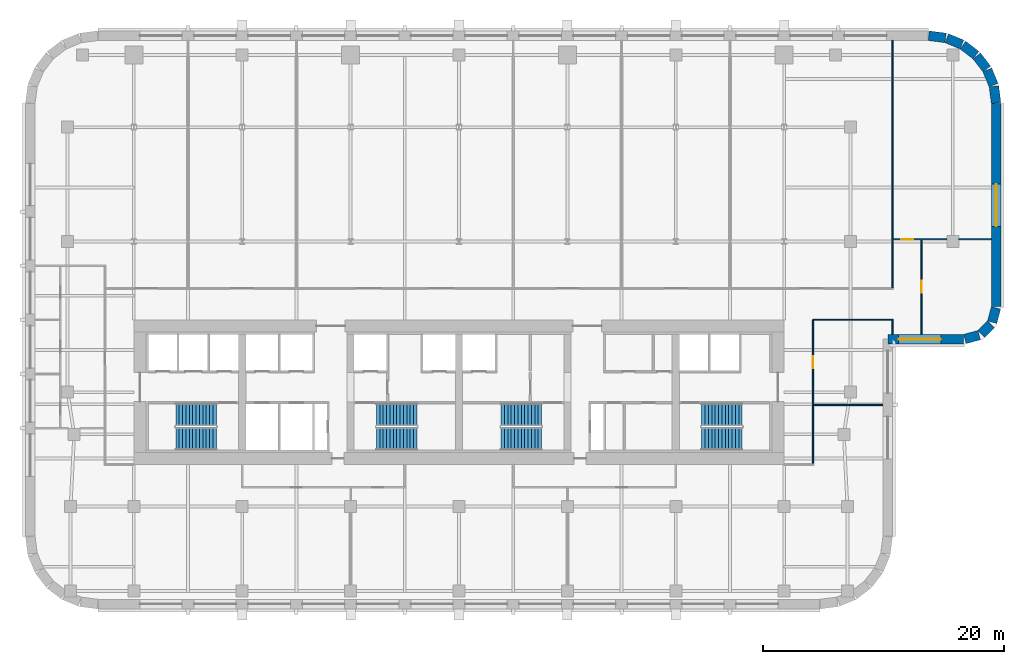
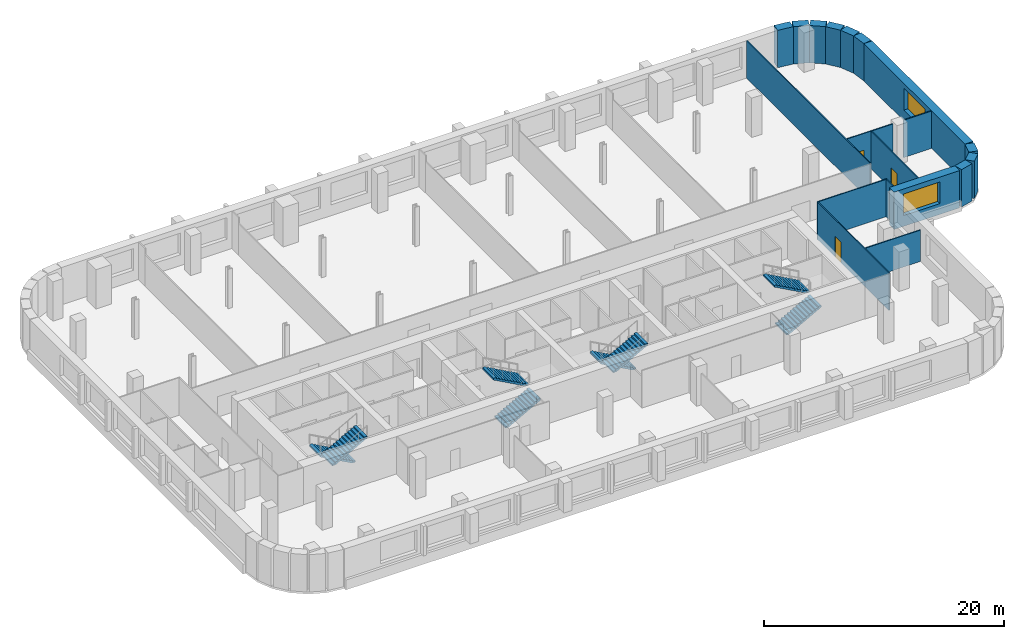
# One storey, part 7 of 9: 19 walls, 8 stair flights, 3 doors, 2 windows, 5 openings, 4 elements without a shape of their own.
"""IFC4 building model written with IfcOpenShell, lengths in metres."""

import ifcopenshell
import ifcopenshell.guid

model = None  # the IFC model being written
_history = None  # IfcOwnerHistory: only IFC2X3 demands one
_inside = {}  # id of a spatial element -> (the spatial element, [elements in it])
_under = {}  # id of a project, library or spatial element -> (it, [spatial elements below it])
_declared = {}  # id of a project -> (the project, [libraries it declares])
_typed = {}  # id of a type object -> (the type object, [elements of that type])
_made_of = {}  # id of a material, layer set ... -> (it, [elements and type objects made of it])


def new_model(schema):
    """Start an empty IFC model of exactly this schema.

    Asked for "IFC4X3", IfcOpenShell would pick the latest addendum, in which some entities
    have other attributes; the version numbers below select the first issue.
    IFC2X3 requires an IfcOwnerHistory on every rooted entity: one is made here for all.
    """
    global model, _history
    if schema == "IFC4X3":
        model = ifcopenshell.file(schema_version=(4, 3, 0, 0))
    else:
        model = ifcopenshell.file(schema=schema)
    _inside.clear()
    _under.clear()
    _declared.clear()
    _typed.clear()
    _made_of.clear()
    _history = None
    if model.schema == "IFC2X3":
        org = make("IfcOrganization", Name="unknown")
        user = make(
            "IfcPersonAndOrganization",
            ThePerson=make("IfcPerson", FamilyName="unknown"),
            TheOrganization=org,
        )
        app = make(
            "IfcApplication",
            ApplicationDeveloper=org,
            Version="unknown",
            ApplicationFullName="unknown",
            ApplicationIdentifier="unknown",
        )
        _history = make(
            "IfcOwnerHistory",
            OwningUser=user,
            OwningApplication=app,
            ChangeAction="ADDED",
            CreationDate=0,
        )
    return model


def make(cls, **values):
    """One entity of the class cls with the attributes given. An attribute that is None is left unset."""
    return model.create_entity(
        cls, **{name: value for name, value in values.items() if value is not None}
    )


def rooted(cls, **values):
    """An entity with a GlobalId (a new one), such as an element, a storey or a relation."""
    return make(cls, GlobalId=ifcopenshell.guid.new(), OwnerHistory=_history, **values)


def si_unit(unit_type, name, prefix=None):
    """IfcSIUnit, for example si_unit("LENGTHUNIT", "METRE", prefix="MILLI")."""
    return make("IfcSIUnit", UnitType=unit_type, Prefix=prefix, Name=name)


def assignment(units):
    """IfcUnitAssignment: the units of a project."""
    return None if units is None else make("IfcUnitAssignment", Units=units)


def point(xyz):
    """IfcCartesianPoint."""
    return None if xyz is None else make("IfcCartesianPoint", Coordinates=xyz)


def direction(xyz):
    """IfcDirection."""
    return None if xyz is None else make("IfcDirection", DirectionRatios=xyz)


def frame(location, z_axis=None, x_axis=None):
    """IfcAxis2Placement3D, a coordinate frame: its origin and axes. An axis left out is left unset."""
    return make(
        "IfcAxis2Placement3D",
        Location=point(location),
        Axis=direction(z_axis),
        RefDirection=direction(x_axis),
    )


def frame_2d(location, x_axis=None):
    """IfcAxis2Placement2D, a coordinate frame in the plane: its origin and x axis."""
    return make(
        "IfcAxis2Placement2D", Location=point(location), RefDirection=direction(x_axis)
    )


def origin():
    """The frame at (0, 0, 0) with its axes left unset."""
    return frame((0.0, 0.0, 0.0))


def place(relative_to, where):
    """IfcLocalPlacement: puts the frame where relative to a parent placement (None: the world)."""
    return make(
        "IfcLocalPlacement", PlacementRelTo=relative_to, RelativePlacement=where
    )


def context(
    kind, dimensions, precision=None, world=None, true_north=None, identifier=None
):
    """IfcGeometricRepresentationContext, for example the 3D "Model" context."""
    return make(
        "IfcGeometricRepresentationContext",
        ContextIdentifier=identifier,
        ContextType=kind,
        CoordinateSpaceDimension=dimensions,
        Precision=precision,
        WorldCoordinateSystem=world,
        TrueNorth=true_north,
    )


def subcontext(parent, identifier, kind, view, scale=None):
    """IfcGeometricRepresentationSubContext, for example "Body" below "Model"."""
    return make(
        "IfcGeometricRepresentationSubContext",
        ContextIdentifier=identifier,
        ContextType=kind,
        ParentContext=parent,
        TargetScale=scale,
        TargetView=view,
    )


def project(units=None, contexts=None):
    """IfcProject with its units and contexts."""
    return rooted(
        "IfcProject",
        Name="project",
        RepresentationContexts=contexts,
        UnitsInContext=assignment(units),
    )


def spatial(cls, under=None, at=None, **own):
    """A site, building, storey or space (cls), placed at a placement, below another one or the project."""
    s = rooted(cls, ObjectPlacement=at, **own)
    if under is not None:
        _under.setdefault(under.id(), (under, []))[1].append(s)
    return s


def polyline(points):
    """IfcPolyline through the points."""
    return make("IfcPolyline", Points=[point(p) for p in points])


def profile(cls, at=None, kind="AREA", **sizes):
    """A parametric profile (cls). Its sizes go by their IFC names, for example OverallWidth=200.0."""
    return make(cls, ProfileType=kind, Position=at, **sizes)


def rectangle(**sizes):
    """IfcRectangleProfileDef."""
    return profile("IfcRectangleProfileDef", **sizes)


def outline(outer, holes=None, kind="AREA"):
    """IfcArbitraryClosedProfileDef: a profile drawn as a closed curve; with holes, ...WithVoids."""
    if holes is None:
        return make("IfcArbitraryClosedProfileDef", ProfileType=kind, OuterCurve=outer)
    return make(
        "IfcArbitraryProfileDefWithVoids",
        ProfileType=kind,
        OuterCurve=outer,
        InnerCurves=holes,
    )


def extrude(swept, where, along, depth):
    """IfcExtrudedAreaSolid: the profile swept, set in the frame where, extruded along a direction by depth."""
    return make(
        "IfcExtrudedAreaSolid",
        SweptArea=swept,
        Position=where,
        ExtrudedDirection=direction(along),
        Depth=depth,
    )


def shape(context_of_items, identifier, shape_type, items):
    """IfcShapeRepresentation: the items that make up one representation, for example the "Body"."""
    return make(
        "IfcShapeRepresentation",
        ContextOfItems=context_of_items,
        RepresentationIdentifier=identifier,
        RepresentationType=shape_type,
        Items=items,
    )


def material(Name=None, Category=None):
    """IfcMaterial."""
    return make("IfcMaterial", Name=Name, Category=Category)


def layer(
    of_material, thickness, ventilated=None, Name=None, Category=None, Priority=None
):
    """IfcMaterialLayer: one layer of a wall or slab, of a material (None: an air gap)."""
    return make(
        "IfcMaterialLayer",
        Material=of_material,
        LayerThickness=thickness,
        IsVentilated=ventilated,
        Name=Name,
        Category=Category,
        Priority=Priority,
    )


def layer_set(layers, Name=None):
    """IfcMaterialLayerSet."""
    return make("IfcMaterialLayerSet", MaterialLayers=layers, LayerSetName=Name)


def made_of(thing, what):
    """Note that an element or type object is made of a material, layer set ...; save() writes the relation."""
    if what is not None:
        _made_of.setdefault(what.id(), (what, []))[1].append(thing)
    return thing


def type_object(cls, material=None, **own):
    """A type object (cls), such as IfcWallType, which elements share."""
    return made_of(rooted(cls, **own), material)


def element(
    cls,
    number,
    at=None,
    inside=None,
    cuts=None,
    type_object=None,
    material=None,
    context=None,
    identifier="Body",
    shape_type=None,
    held_by="IfcProductDefinitionShape",
    body=None,
    shapes=None,
    **own,
):
    """One element of the class cls, such as IfcWall. Its Tag is "e" and its number.

    at: its placement. inside: the storey or other place that contains it. cuts: it is an
    opening in that element (IfcRelVoidsElement). A single representation is given by context,
    identifier, shape_type and body (its items); several are given by shapes. held_by: the class
    of the entity that holds the representations. save() writes the other relations.
    """
    e = rooted(cls, Tag="e%d" % number, ObjectPlacement=at, **own)
    if body is not None:
        shapes = [shape(context, identifier, shape_type, body)]
    if shapes is not None:
        e.Representation = make(held_by, Representations=shapes)
    if inside is not None:
        _inside.setdefault(inside.id(), (inside, []))[1].append(e)
    if cuts is not None:
        rooted(
            "IfcRelVoidsElement", RelatingBuildingElement=cuts, RelatedOpeningElement=e
        )
    if type_object is not None:
        _typed.setdefault(type_object.id(), (type_object, []))[1].append(e)
    return made_of(e, material)


def fill(opening, filler):
    """IfcRelFillsElement: the door or window that sits in an opening."""
    return rooted(
        "IfcRelFillsElement",
        RelatingOpeningElement=opening,
        RelatedBuildingElement=filler,
    )


def aggregate(whole, parts):
    """IfcRelAggregates: a whole, such as a stair, and the parts it consists of."""
    return rooted("IfcRelAggregates", RelatingObject=whole, RelatedObjects=parts)


def save(model, path):
    """Write the relations noted so far, then the file.

    IfcRelAggregates (storeys below a building ...), IfcRelContainedInSpatialStructure (elements
    in a storey), IfcRelDefinesByType, IfcRelAssociatesMaterial and IfcRelDeclares: one each for
    every whole, place, type object, material and project.
    """
    for whole, parts in _under.values():
        aggregate(whole, parts)
    for where, things in _inside.values():
        rooted(
            "IfcRelContainedInSpatialStructure",
            RelatedElements=things,
            RelatingStructure=where,
        )
    for kind, things in _typed.values():
        rooted("IfcRelDefinesByType", RelatedObjects=things, RelatingType=kind)
    for what, things in _made_of.values():
        rooted("IfcRelAssociatesMaterial", RelatedObjects=things, RelatingMaterial=what)
    for by, libraries in _declared.values():
        rooted("IfcRelDeclares", RelatingContext=by, RelatedDefinitions=libraries)
    model.write(path)


model = new_model("IFC4")

# Units and contexts
model_context = context("Model", 3, precision=1e-05, world=origin(), true_north=direction((0.0, 1.0)))
body_context = subcontext(model_context, "Body", "Model", "MODEL_VIEW")
ifc_project = project(units=[si_unit("LENGTHUNIT", "METRE"), si_unit("AREAUNIT", "SQUARE_METRE"), si_unit("VOLUMEUNIT", "CUBIC_METRE"), si_unit("PLANEANGLEUNIT", "RADIAN"), si_unit("MASSUNIT", "GRAM", prefix="KILO")], contexts=[model_context])

# Site, building, storey
site_placement = place(None, origin())
site = spatial("IfcSite", under=ifc_project, at=site_placement, CompositionType="ELEMENT")
building_placement = place(site_placement, origin())
building = spatial("IfcBuilding", under=site, at=building_placement, Name="Zellij Exchange Tower", CompositionType="ELEMENT")
storey_placement = place(building_placement, frame((0.0, 0.0, 140.5)))
storey = spatial("IfcBuildingStorey", under=building, at=storey_placement, Name="L31", CompositionType="ELEMENT", Elevation=140.5)

# Wall, opening, window
ifc_material_1 = material(Name="Precast concrete C40/50", Category="concrete")
ifc_layer_1 = layer(ifc_material_1, 0.800048828125)
ifc_layer_set_1 = layer_set([ifc_layer_1], Name="Precast concrete C40/50")
wall_type_1 = type_object("IfcWallType", Name="ENV-EW1 Precast stone-piered wall 800", PredefinedType="SOLIDWALL", material=ifc_layer_set_1)
wall_1_placement = place(storey_placement, frame((35.60009765625, -3.60009765625, 0.0), z_axis=(0.0, 0.0, 1.0), x_axis=(1.0, 0.0, 0.0)))
wall_1 = element("IfcWall", 1, at=wall_1_placement, inside=storey, type_object=wall_type_1, Name="fac.L31.08", PredefinedType="SOLIDWALL", context=body_context, shape_type="SweptSolid", body=[
    extrude(rectangle(XDim=6.29443359375, YDim=0.800048828125, at=frame_2d((3.147216796875, 0.0))), origin(), (0.0, 0.0, 1.0), 3.800048828125),
])
opening_1_placement = place(wall_1_placement, frame((0.89990234375, 0.0, 1.10009765625)))
opening_1 = element("IfcOpeningElement", 2, at=opening_1_placement, cuts=wall_1, Name="Opening FZ2.15", PredefinedType="OPENING", context=body_context, shape_type="SweptSolid", body=[
    extrude(rectangle(XDim=3.5, YDim=2.199951171875, at=frame_2d((1.75, 1.10009765625))), frame((0.0, 0.412109375, 0.0), z_axis=(0.0, -1.0, 0.0), x_axis=(1.0, 0.0, 0.0)), (0.0, 0.0, 1.0), 0.823974609375),
])
ifc_material_2 = material(Name="Aluminium frame with insulating glass", Category="aluminium")
window_type = type_object("IfcWindowType", Name="ENV-W7 Window 3500x2200", PartitioningType="SINGLE_PANEL", PredefinedType="WINDOW", material=ifc_material_2)
window_1_placement = place(opening_1_placement, origin())
window_1 = element("IfcWindow", 3, at=window_1_placement, inside=storey, type_object=window_type, Name="Window FZ2.15", OverallHeight=2.199951171875, OverallWidth=3.5, PartitioningType="SINGLE_PANEL", PredefinedType="WINDOW", context=body_context, shape_type="SweptSolid", body=[
    extrude(rectangle(XDim=3.5, YDim=2.199951171875, at=frame_2d((1.75, 1.10009765625))), frame((0.0, 0.030029296875, 0.0), z_axis=(0.0, -1.0, 0.0), x_axis=(1.0, 0.0, 0.0)), (0.0, 0.0, 1.0), 0.06005859375),
])
fill(opening_1, window_1)

# Walls
wall_2_placement = place(storey_placement, frame((41.998291015625, -3.58642578125, 0.0), z_axis=(0.0, 0.0, 1.0), x_axis=(0.965892366842, 0.258943885187, 0.0)))
element("IfcWall", 4, at=wall_2_placement, inside=storey, type_object=wall_type_1, Name="fac.L31.09", PredefinedType="SOLIDWALL", context=body_context, shape_type="SweptSolid", body=[
    extrude(rectangle(XDim=1.233154296875, YDim=0.800048828125, at=frame_2d((0.61669921875, 0.0))), origin(), (0.0, 0.0, 1.0), 3.800048828125),
])
wall_3_placement = place(storey_placement, frame((43.36865234375, -3.163818359375, 0.0), z_axis=(0.0, 0.0, 1.0), x_axis=(0.707106781187, 0.707106781187, 0.0)))
element("IfcWall", 5, at=wall_3_placement, inside=storey, type_object=wall_type_1, Name="fac.L31.10", PredefinedType="SOLIDWALL", context=body_context, shape_type="SweptSolid", body=[
    extrude(rectangle(XDim=1.12451171875, YDim=0.800048828125, at=frame_2d((0.562255859375, 0.0))), origin(), (0.0, 0.0, 1.0), 3.800048828125),
])
wall_4_placement = place(storey_placement, frame((44.26708984375, -2.189453125, 0.0), z_axis=(0.0, 0.0, 1.0), x_axis=(0.258943885187, 0.965892366842, 0.0)))
element("IfcWall", 6, at=wall_4_placement, inside=storey, type_object=wall_type_1, Name="fac.L31.11", PredefinedType="SOLIDWALL", context=body_context, shape_type="SweptSolid", body=[
    extrude(rectangle(XDim=1.233154296875, YDim=0.800048828125, at=frame_2d((0.61669921875, 0.0))), origin(), (0.0, 0.0, 1.0), 3.800048828125),
])

# Wall, opening, window
wall_5_placement = place(storey_placement, frame((44.60009765625, -0.89453125, 0.0), z_axis=(0.0, 0.0, 1.0), x_axis=(0.0, 1.0, 0.0)))
wall_5 = element("IfcWall", 7, at=wall_5_placement, inside=storey, type_object=wall_type_1, Name="fac.L31.12", PredefinedType="SOLIDWALL", context=body_context, shape_type="SweptSolid", body=[
    extrude(rectangle(XDim=16.842041015625, YDim=0.800048828125, at=frame_2d((8.4208984375, 0.0))), origin(), (0.0, 0.0, 1.0), 3.800048828125),
])
opening_2_placement = place(wall_5_placement, frame((6.657958984375, 0.0, 1.10009765625)))
opening_2 = element("IfcOpeningElement", 8, at=opening_2_placement, cuts=wall_5, Name="Opening FZ2.16", PredefinedType="OPENING", context=body_context, shape_type="SweptSolid", body=[
    extrude(rectangle(XDim=3.5, YDim=2.199951171875, at=frame_2d((1.75, 1.10009765625))), frame((0.0, 0.412109375, 0.0), z_axis=(0.0, -1.0, 0.0), x_axis=(1.0, 0.0, 0.0)), (0.0, 0.0, 1.0), 0.823974609375),
])
window_2_placement = place(opening_2_placement, origin())
window_2 = element("IfcWindow", 9, at=window_2_placement, inside=storey, type_object=window_type, Name="Window FZ2.16", OverallHeight=2.199951171875, OverallWidth=3.5, PartitioningType="SINGLE_PANEL", PredefinedType="WINDOW", context=body_context, shape_type="SweptSolid", body=[
    extrude(rectangle(XDim=3.5, YDim=2.199951171875, at=frame_2d((1.75, 1.10009765625))), frame((0.0, 0.030029296875, 0.0), z_axis=(0.0, -1.0, 0.0), x_axis=(1.0, 0.0, 0.0)), (0.0, 0.0, 1.0), 0.06005859375),
])
fill(opening_2, window_2)

# Walls
wall_6_placement = place(storey_placement, frame((44.5966796875, 15.999755859375, 0.0), z_axis=(0.0, 0.0, 1.0), x_axis=(-0.130517283865, 0.99144603414, 0.0)))
element("IfcWall", 10, at=wall_6_placement, inside=storey, type_object=wall_type_1, Name="fac.L31.13", PredefinedType="SOLIDWALL", context=body_context, shape_type="SweptSolid", body=[
    extrude(rectangle(XDim=1.408447265625, YDim=0.800048828125, at=frame_2d((0.7041015625, 0.0))), origin(), (0.0, 0.0, 1.0), 3.800048828125),
])
wall_7_placement = place(storey_placement, frame((44.3857421875, 17.497314453125, 0.0), z_axis=(0.0, 0.0, 1.0), x_axis=(-0.38276009378, 0.923847774587, 0.0)))
element("IfcWall", 11, at=wall_7_placement, inside=storey, type_object=wall_type_1, Name="fac.L31.14", PredefinedType="SOLIDWALL", context=body_context, shape_type="SweptSolid", body=[
    extrude(rectangle(XDim=1.35546875, YDim=0.800048828125, at=frame_2d((0.677734375, 0.0))), origin(), (0.0, 0.0, 1.0), 3.800048828125),
])
for number, where, z_axis, x_axis, name in (
    (12, (43.814697265625, 18.840087890625, 0.0), (0.0, 0.0, 1.0), (-0.608866226366, 0.793272915452, 0.0), "fac.L31.15"),
    (13, (42.91552734375, 19.9892578125, 0.0), (0.0, 0.0, 1.0), (-0.793272915452, 0.608866226366, 0.0), "fac.L31.16"),
):
    element("IfcWall", number, at=place(storey_placement, frame(where, z_axis=z_axis, x_axis=x_axis)), inside=storey, type_object=wall_type_1, Name=name, PredefinedType="SOLIDWALL", context=body_context, shape_type="SweptSolid", body=[
        extrude(rectangle(XDim=1.355712890625, YDim=0.800048828125, at=frame_2d((0.677734375, 0.0))), origin(), (0.0, 0.0, 1.0), 3.800048828125),
    ])
wall_8_placement = place(storey_placement, frame((41.74951171875, 20.866943359375, 0.0), z_axis=(0.0, 0.0, 1.0), x_axis=(-0.923847774587, 0.38276009378, 0.0)))
element("IfcWall", 14, at=wall_8_placement, inside=storey, type_object=wall_type_1, Name="fac.L31.17", PredefinedType="SOLIDWALL", context=body_context, shape_type="SweptSolid", body=[
    extrude(rectangle(XDim=1.35546875, YDim=0.800048828125, at=frame_2d((0.677734375, 0.0))), origin(), (0.0, 0.0, 1.0), 3.800048828125),
])
wall_9_placement = place(storey_placement, frame((40.396240234375, 21.412841796875, 0.0), z_axis=(0.0, 0.0, 1.0), x_axis=(-0.99144603414, 0.130517283865, 0.0)))
element("IfcWall", 15, at=wall_9_placement, inside=storey, type_object=wall_type_1, Name="fac.L31.18", PredefinedType="SOLIDWALL", context=body_context, shape_type="SweptSolid", body=[
    extrude(rectangle(XDim=1.408447265625, YDim=0.800048828125, at=frame_2d((0.7041015625, 0.0))), origin(), (0.0, 0.0, 1.0), 3.800048828125),
])

# Wall, opening, door
ifc_material_3 = material(Name="Gypsum board partition on steel studs", Category="steel")
ifc_layer_2 = layer(ifc_material_3, 0.10009765625)
ifc_layer_set_2 = layer_set([ifc_layer_2], Name="Gypsum board partition on steel studs")
wall_type_2 = type_object("IfcWallType", Name="FIT-PARTITION-100", PredefinedType="PARTITIONING", material=ifc_layer_set_2)
wall_10_placement = place(storey_placement, frame((29.39990234375, -13.949951171875, 0.0), z_axis=(0.0, 0.0, 1.0), x_axis=(0.0, 1.0, 0.0)))
wall_10 = element("IfcWall", 16, at=wall_10_placement, inside=storey, type_object=wall_type_2, Name="FIT-PARTITION-100 014", PredefinedType="PARTITIONING", context=body_context, shape_type="SweptSolid", body=[
    extrude(rectangle(XDim=11.89990234375, YDim=0.10009765625, at=frame_2d((5.949951171875, 0.0))), origin(), (0.0, 0.0, 1.0), 3.800048828125),
])
opening_3_placement = place(wall_10_placement, frame((7.93994140625, 0.0, 0.0)))
opening_3 = element("IfcOpeningElement", 17, at=opening_3_placement, cuts=wall_10, Name="Opening TG.05", PredefinedType="OPENING", context=body_context, shape_type="SweptSolid", body=[
    extrude(rectangle(XDim=1.0, YDim=2.10009765625, at=frame_2d((0.5, 1.050048828125))), frame((0.0, 0.06201171875, 0.0), z_axis=(0.0, -1.0, 0.0), x_axis=(1.0, 0.0, 0.0)), (0.0, 0.0, 1.0), 0.1240234375),
])
ifc_material_4 = material(Name="Timber door set", Category="wood")
door_type = type_object("IfcDoorType", Name="FIT-D2-WIDE-1000X2100", OperationType="SINGLE_SWING_LEFT", PredefinedType="DOOR", material=ifc_material_4)
door_1_placement = place(opening_3_placement, origin())
door_1 = element("IfcDoor", 18, at=door_1_placement, inside=storey, type_object=door_type, Name="Door TG.05", OperationType="SINGLE_SWING_RIGHT", OverallHeight=2.10009765625, OverallWidth=1.0, PredefinedType="DOOR", context=body_context, shape_type="SweptSolid", body=[
    extrude(rectangle(XDim=1.0, YDim=2.10009765625, at=frame_2d((0.5, 1.050048828125))), frame((0.0, 0.02490234375, 0.0), z_axis=(0.0, -1.0, 0.0), x_axis=(1.0, 0.0, 0.0)), (0.0, 0.0, 1.0), 0.050048828125),
])
fill(opening_3, door_1)

# Walls
wall_11_placement = place(storey_placement, frame((29.449951171875, -9.06005859375, 0.0), z_axis=(0.0, 0.0, 1.0), x_axis=(1.0, 0.0, 0.0)))
element("IfcWall", 19, at=wall_11_placement, inside=storey, type_object=wall_type_2, Name="FIT-PARTITION-100 018", PredefinedType="PARTITIONING", context=body_context, shape_type="SweptSolid", body=[
    extrude(rectangle(XDim=5.75, YDim=0.10009765625, at=frame_2d((2.875, 0.0))), origin(), (0.0, 0.0, 1.0), 3.197998046875),
])
wall_12_placement = place(storey_placement, frame((36.0, -3.199951171875, 0.0), z_axis=(0.0, 0.0, 1.0), x_axis=(0.0, 1.0, 0.0)))
element("IfcWall", 20, at=wall_12_placement, inside=storey, type_object=wall_type_2, Name="FIT-PARTITION-100 020", PredefinedType="PARTITIONING", context=body_context, shape_type="SweptSolid", body=[
    extrude(rectangle(XDim=1.14990234375, YDim=0.10009765625, at=frame_2d((0.574951171875, 0.0))), origin(), (0.0, 0.0, 1.0), 3.800048828125),
])

# Wall, opening, door
wall_13_placement = place(storey_placement, frame((38.39990234375, -3.199951171875, 0.0), z_axis=(0.0, 0.0, 1.0), x_axis=(0.0, 1.0, 0.0)))
wall_13 = element("IfcWall", 21, at=wall_13_placement, inside=storey, type_object=wall_type_2, Name="FIT-PARTITION-100 021", PredefinedType="PARTITIONING", context=body_context, shape_type="SweptSolid", body=[
    extrude(rectangle(XDim=7.83984375, YDim=0.10009765625, at=frame_2d((3.919921875, 0.0))), origin(), (0.0, 0.0, 1.0), 3.800048828125),
])
opening_4_placement = place(wall_13_placement, frame((3.449951171875, 0.0, 0.0)))
opening_4 = element("IfcOpeningElement", 22, at=opening_4_placement, cuts=wall_13, Name="Opening TG.16", PredefinedType="OPENING", context=body_context, shape_type="SweptSolid", body=[
    extrude(rectangle(XDim=1.0, YDim=2.10009765625, at=frame_2d((0.5, 1.050048828125))), frame((0.0, 0.06201171875, 0.0), z_axis=(0.0, -1.0, 0.0), x_axis=(1.0, 0.0, 0.0)), (0.0, 0.0, 1.0), 0.1240234375),
])
door_2_placement = place(opening_4_placement, origin())
door_2 = element("IfcDoor", 23, at=door_2_placement, inside=storey, type_object=door_type, Name="Door TG.16", OperationType="SINGLE_SWING_RIGHT", OverallHeight=2.10009765625, OverallWidth=1.0, PredefinedType="DOOR", context=body_context, shape_type="SweptSolid", body=[
    extrude(rectangle(XDim=1.0, YDim=2.10009765625, at=frame_2d((0.5, 1.050048828125))), frame((0.0, 0.02490234375, 0.0), z_axis=(0.0, -1.0, 0.0), x_axis=(1.0, 0.0, 0.0)), (0.0, 0.0, 1.0), 0.050048828125),
])
fill(opening_4, door_2)

# Walls
wall_14_placement = place(storey_placement, frame((29.35009765625, -2.0, 0.0), z_axis=(0.0, 0.0, 1.0), x_axis=(1.0, 0.0, 0.0)))
element("IfcWall", 24, at=wall_14_placement, inside=storey, type_object=wall_type_2, Name="FIT-PARTITION-100 023", PredefinedType="PARTITIONING", context=body_context, shape_type="SweptSolid", body=[
    extrude(rectangle(XDim=6.699951171875, YDim=0.10009765625, at=frame_2d((3.35009765625, 0.0))), origin(), (0.0, 0.0, 1.0), 3.800048828125),
])
wall_15_placement = place(storey_placement, frame((36.0, 0.64990234375, 0.0), z_axis=(0.0, 0.0, 1.0), x_axis=(0.0, 1.0, 0.0)))
element("IfcWall", 25, at=wall_15_placement, inside=storey, type_object=wall_type_2, Name="FIT-PARTITION-100 035", PredefinedType="PARTITIONING", context=body_context, shape_type="SweptSolid", body=[
    extrude(rectangle(XDim=20.550048828125, YDim=0.10009765625, at=frame_2d((10.27490234375, 0.0))), origin(), (0.0, 0.0, 1.0), 3.800048828125),
])

# Wall, opening, door
wall_16_placement = place(storey_placement, frame((36.050048828125, 4.68994140625, 0.0), z_axis=(0.0, 0.0, 1.0), x_axis=(1.0, 0.0, 0.0)))
wall_16 = element("IfcWall", 26, at=wall_16_placement, inside=storey, type_object=wall_type_2, Name="FIT-PARTITION-100 037", PredefinedType="PARTITIONING", context=body_context, shape_type="SweptSolid", body=[
    extrude(rectangle(XDim=4.449951171875, YDim=0.10009765625, at=frame_2d((2.22509765625, 0.0))), origin(), (0.0, 0.0, 1.0), 3.800048828125),
])
opening_5_placement = place(wall_16_placement, frame((0.64990234375, 0.0, 0.0)))
opening_5 = element("IfcOpeningElement", 27, at=opening_5_placement, cuts=wall_16, Name="Opening TG.17", PredefinedType="OPENING", context=body_context, shape_type="SweptSolid", body=[
    extrude(rectangle(XDim=1.0, YDim=2.10009765625, at=frame_2d((0.5, 1.050048828125))), frame((0.0, 0.06201171875, 0.0), z_axis=(0.0, -1.0, 0.0), x_axis=(1.0, 0.0, 0.0)), (0.0, 0.0, 1.0), 0.1240234375),
])
door_3_placement = place(opening_5_placement, origin())
door_3 = element("IfcDoor", 28, at=door_3_placement, inside=storey, type_object=door_type, Name="Door TG.17", OperationType="SINGLE_SWING_LEFT", OverallHeight=2.10009765625, OverallWidth=1.0, PredefinedType="DOOR", context=body_context, shape_type="SweptSolid", body=[
    extrude(rectangle(XDim=1.0, YDim=2.10009765625, at=frame_2d((0.5, 1.050048828125))), frame((0.0, 0.02490234375, 0.0), z_axis=(0.0, -1.0, 0.0), x_axis=(1.0, 0.0, 0.0)), (0.0, 0.0, 1.0), 0.050048828125),
])
fill(opening_5, door_3)

# Wall
wall_17_placement = place(storey_placement, frame((41.5, 4.68994140625, 0.0), z_axis=(0.0, 0.0, 1.0), x_axis=(1.0, 0.0, 0.0)))
element("IfcWall", 29, at=wall_17_placement, inside=storey, type_object=wall_type_2, Name="FIT-PARTITION-100 038", PredefinedType="PARTITIONING", context=body_context, shape_type="SweptSolid", body=[
    extrude(rectangle(XDim=2.699951171875, YDim=0.10009765625, at=frame_2d((1.35009765625, 0.0))), origin(), (0.0, 0.0, 1.0), 3.800048828125),
])

# Stair, stair flights
ifc_material_5 = material(Name="Concrete C40/50", Category="concrete")
stair_type = type_object("IfcStairType", Name="CORE-ST exit stair 1850 wide", PredefinedType="HALF_TURN_STAIR", material=ifc_material_5)
stair_1_placement = place(storey_placement, origin())
stair_1 = element("IfcStair", 30, at=stair_1_placement, inside=storey, type_object=stair_type, Name="L31 exit stair ST1", PredefinedType="HALF_TURN_STAIR")
stair_flight_type = type_object("IfcStairFlightType", Name="CORE-SF flight 1850 riser 153.8 going 280", PredefinedType="STRAIGHT", material=ifc_material_5)
stair_flight_1_placement = place(storey_placement, frame((-20.14990234375, -9.875, 0.0), z_axis=(0.0, 0.0, 1.0), x_axis=(-1.0, 0.0, 0.0)))
stair_flight_1 = element("IfcStairFlight", 31, at=stair_flight_1_placement, type_object=stair_flight_type, Name="ST1 flight 1", NumberOfRisers=13, NumberOfTreads=12, PredefinedType="STRAIGHT", RiserHeight=0.153846154, TreadLength=0.28, context=body_context, shape_type="SweptSolid", body=[
    extrude(outline(polyline([(0.0, 0.0), (0.0, 0.15380859375), (0.280029296875, 0.15380859375), (0.280029296875, 0.3076171875), (0.56005859375, 0.3076171875), (0.56005859375, 0.46142578125), (0.840087890625, 0.46142578125), (0.840087890625, 0.615478515625), (1.1201171875, 0.615478515625), (1.1201171875, 0.769287109375), (1.39990234375, 0.769287109375), (1.39990234375, 0.923095703125), (1.679931640625, 0.923095703125), (1.679931640625, 1.076904296875), (1.9599609375, 1.076904296875), (1.9599609375, 1.230712890625), (2.239990234375, 1.230712890625), (2.239990234375, 1.384521484375), (2.52001953125, 1.384521484375), (2.52001953125, 1.53857421875), (2.800048828125, 1.53857421875), (2.800048828125, 1.6923828125), (3.080078125, 1.6923828125), (3.080078125, 1.84619140625), (3.360107421875, 1.84619140625), (3.360107421875, 2.0), (3.360107421875, 1.675048828125), (0.311279296875, 0.0), (0.0, 0.0)])), frame((0.0, 0.925048828125, 0.0), z_axis=(0.0, -1.0, 0.0), x_axis=(1.0, 0.0, 0.0)), (0.0, 0.0, 1.0), 1.85009765625),
])
stair_flight_2_placement = place(storey_placement, frame((-23.510009765625, -11.875, 2.0), z_axis=(0.0, 0.0, 1.0), x_axis=(1.0, 0.0, 0.0)))
stair_flight_2 = element("IfcStairFlight", 32, at=stair_flight_2_placement, type_object=stair_flight_type, Name="ST1 flight 2", NumberOfRisers=13, NumberOfTreads=12, PredefinedType="STRAIGHT", RiserHeight=0.153846154, TreadLength=0.28, context=body_context, shape_type="SweptSolid", body=[
    extrude(outline(polyline([(0.0, 0.0), (0.0, 0.15380859375), (0.280029296875, 0.15380859375), (0.280029296875, 0.3076171875), (0.56005859375, 0.3076171875), (0.56005859375, 0.46142578125), (0.840087890625, 0.46142578125), (0.840087890625, 0.615478515625), (1.1201171875, 0.615478515625), (1.1201171875, 0.769287109375), (1.39990234375, 0.769287109375), (1.39990234375, 0.923095703125), (1.679931640625, 0.923095703125), (1.679931640625, 1.076904296875), (1.9599609375, 1.076904296875), (1.9599609375, 1.230712890625), (2.239990234375, 1.230712890625), (2.239990234375, 1.384521484375), (2.52001953125, 1.384521484375), (2.52001953125, 1.53857421875), (2.800048828125, 1.53857421875), (2.800048828125, 1.6923828125), (3.080078125, 1.6923828125), (3.080078125, 1.84619140625), (3.360107421875, 1.84619140625), (3.360107421875, 2.0), (3.360107421875, 1.675048828125), (0.311279296875, 0.0), (0.0, 0.0)])), frame((0.0, 0.925048828125, 0.0), z_axis=(0.0, -1.0, 0.0), x_axis=(1.0, 0.0, 0.0)), (0.0, 0.0, 1.0), 1.85009765625),
])
aggregate(stair_1, [stair_flight_1, stair_flight_2])

stair_2_placement = place(storey_placement, origin())
stair_2 = element("IfcStair", 33, at=stair_2_placement, inside=storey, type_object=stair_type, Name="L31 exit stair ST2", PredefinedType="HALF_TURN_STAIR")
stair_flight_3_placement = place(storey_placement, frame((-6.85009765625, -11.875, 0.0), z_axis=(0.0, 0.0, 1.0), x_axis=(1.0, 0.0, 0.0)))
stair_flight_3 = element("IfcStairFlight", 34, at=stair_flight_3_placement, type_object=stair_flight_type, Name="ST2 flight 1", NumberOfRisers=13, NumberOfTreads=12, PredefinedType="STRAIGHT", RiserHeight=0.153846154, TreadLength=0.28, context=body_context, shape_type="SweptSolid", body=[
    extrude(outline(polyline([(0.0, 0.0), (0.0, 0.15380859375), (0.280029296875, 0.15380859375), (0.280029296875, 0.3076171875), (0.56005859375, 0.3076171875), (0.56005859375, 0.46142578125), (0.840087890625, 0.46142578125), (0.840087890625, 0.615478515625), (1.1201171875, 0.615478515625), (1.1201171875, 0.769287109375), (1.39990234375, 0.769287109375), (1.39990234375, 0.923095703125), (1.679931640625, 0.923095703125), (1.679931640625, 1.076904296875), (1.9599609375, 1.076904296875), (1.9599609375, 1.230712890625), (2.239990234375, 1.230712890625), (2.239990234375, 1.384521484375), (2.52001953125, 1.384521484375), (2.52001953125, 1.53857421875), (2.800048828125, 1.53857421875), (2.800048828125, 1.6923828125), (3.080078125, 1.6923828125), (3.080078125, 1.84619140625), (3.360107421875, 1.84619140625), (3.360107421875, 2.0), (3.360107421875, 1.675048828125), (0.311279296875, 0.0), (0.0, 0.0)])), frame((0.0, 0.925048828125, 0.0), z_axis=(0.0, -1.0, 0.0), x_axis=(1.0, 0.0, 0.0)), (0.0, 0.0, 1.0), 1.85009765625),
])
stair_flight_4_placement = place(storey_placement, frame((-3.489990234375, -9.875, 2.0), z_axis=(0.0, 0.0, 1.0), x_axis=(-1.0, 0.0, 0.0)))
stair_flight_4 = element("IfcStairFlight", 35, at=stair_flight_4_placement, type_object=stair_flight_type, Name="ST2 flight 2", NumberOfRisers=13, NumberOfTreads=12, PredefinedType="STRAIGHT", RiserHeight=0.153846154, TreadLength=0.28, context=body_context, shape_type="SweptSolid", body=[
    extrude(outline(polyline([(0.0, 0.0), (0.0, 0.15380859375), (0.280029296875, 0.15380859375), (0.280029296875, 0.3076171875), (0.56005859375, 0.3076171875), (0.56005859375, 0.46142578125), (0.840087890625, 0.46142578125), (0.840087890625, 0.615478515625), (1.1201171875, 0.615478515625), (1.1201171875, 0.769287109375), (1.39990234375, 0.769287109375), (1.39990234375, 0.923095703125), (1.679931640625, 0.923095703125), (1.679931640625, 1.076904296875), (1.9599609375, 1.076904296875), (1.9599609375, 1.230712890625), (2.239990234375, 1.230712890625), (2.239990234375, 1.384521484375), (2.52001953125, 1.384521484375), (2.52001953125, 1.53857421875), (2.800048828125, 1.53857421875), (2.800048828125, 1.6923828125), (3.080078125, 1.6923828125), (3.080078125, 1.84619140625), (3.360107421875, 1.84619140625), (3.360107421875, 2.0), (3.360107421875, 1.675048828125), (0.311279296875, 0.0), (0.0, 0.0)])), frame((0.0, 0.925048828125, 0.0), z_axis=(0.0, -1.0, 0.0), x_axis=(1.0, 0.0, 0.0)), (0.0, 0.0, 1.0), 1.85009765625),
])
aggregate(stair_2, [stair_flight_3, stair_flight_4])

stair_3_placement = place(storey_placement, origin())
stair_3 = element("IfcStair", 36, at=stair_3_placement, inside=storey, type_object=stair_type, Name="L31 exit stair ST3", PredefinedType="HALF_TURN_STAIR")
stair_flight_5_placement = place(storey_placement, frame((6.85009765625, -9.875, 0.0), z_axis=(0.0, 0.0, 1.0), x_axis=(-1.0, 0.0, 0.0)))
stair_flight_5 = element("IfcStairFlight", 37, at=stair_flight_5_placement, type_object=stair_flight_type, Name="ST3 flight 1", NumberOfRisers=13, NumberOfTreads=12, PredefinedType="STRAIGHT", RiserHeight=0.153846154, TreadLength=0.28, context=body_context, shape_type="SweptSolid", body=[
    extrude(outline(polyline([(0.0, 0.0), (0.0, 0.15380859375), (0.280029296875, 0.15380859375), (0.280029296875, 0.3076171875), (0.56005859375, 0.3076171875), (0.56005859375, 0.46142578125), (0.840087890625, 0.46142578125), (0.840087890625, 0.615478515625), (1.1201171875, 0.615478515625), (1.1201171875, 0.769287109375), (1.39990234375, 0.769287109375), (1.39990234375, 0.923095703125), (1.679931640625, 0.923095703125), (1.679931640625, 1.076904296875), (1.9599609375, 1.076904296875), (1.9599609375, 1.230712890625), (2.239990234375, 1.230712890625), (2.239990234375, 1.384521484375), (2.52001953125, 1.384521484375), (2.52001953125, 1.53857421875), (2.800048828125, 1.53857421875), (2.800048828125, 1.6923828125), (3.080078125, 1.6923828125), (3.080078125, 1.84619140625), (3.360107421875, 1.84619140625), (3.360107421875, 2.0), (3.360107421875, 1.675048828125), (0.311279296875, 0.0), (0.0, 0.0)])), frame((0.0, 0.925048828125, 0.0), z_axis=(0.0, -1.0, 0.0), x_axis=(1.0, 0.0, 0.0)), (0.0, 0.0, 1.0), 1.85009765625),
])
stair_flight_6_placement = place(storey_placement, frame((3.489990234375, -11.875, 2.0), z_axis=(0.0, 0.0, 1.0), x_axis=(1.0, 0.0, 0.0)))
stair_flight_6 = element("IfcStairFlight", 38, at=stair_flight_6_placement, type_object=stair_flight_type, Name="ST3 flight 2", NumberOfRisers=13, NumberOfTreads=12, PredefinedType="STRAIGHT", RiserHeight=0.153846154, TreadLength=0.28, context=body_context, shape_type="SweptSolid", body=[
    extrude(outline(polyline([(0.0, 0.0), (0.0, 0.15380859375), (0.280029296875, 0.15380859375), (0.280029296875, 0.3076171875), (0.56005859375, 0.3076171875), (0.56005859375, 0.46142578125), (0.840087890625, 0.46142578125), (0.840087890625, 0.615478515625), (1.1201171875, 0.615478515625), (1.1201171875, 0.769287109375), (1.39990234375, 0.769287109375), (1.39990234375, 0.923095703125), (1.679931640625, 0.923095703125), (1.679931640625, 1.076904296875), (1.9599609375, 1.076904296875), (1.9599609375, 1.230712890625), (2.239990234375, 1.230712890625), (2.239990234375, 1.384521484375), (2.52001953125, 1.384521484375), (2.52001953125, 1.53857421875), (2.800048828125, 1.53857421875), (2.800048828125, 1.6923828125), (3.080078125, 1.6923828125), (3.080078125, 1.84619140625), (3.360107421875, 1.84619140625), (3.360107421875, 2.0), (3.360107421875, 1.675048828125), (0.311279296875, 0.0), (0.0, 0.0)])), frame((0.0, 0.925048828125, 0.0), z_axis=(0.0, -1.0, 0.0), x_axis=(1.0, 0.0, 0.0)), (0.0, 0.0, 1.0), 1.85009765625),
])
aggregate(stair_3, [stair_flight_5, stair_flight_6])

stair_4_placement = place(storey_placement, origin())
stair_4 = element("IfcStair", 39, at=stair_4_placement, inside=storey, type_object=stair_type, Name="L31 exit stair ST4", PredefinedType="HALF_TURN_STAIR")
stair_flight_7_placement = place(storey_placement, frame((20.14990234375, -11.875, 0.0), z_axis=(0.0, 0.0, 1.0), x_axis=(1.0, 0.0, 0.0)))
stair_flight_7 = element("IfcStairFlight", 40, at=stair_flight_7_placement, type_object=stair_flight_type, Name="ST4 flight 1", NumberOfRisers=13, NumberOfTreads=12, PredefinedType="STRAIGHT", RiserHeight=0.153846154, TreadLength=0.28, context=body_context, shape_type="SweptSolid", body=[
    extrude(outline(polyline([(0.0, 0.0), (0.0, 0.15380859375), (0.280029296875, 0.15380859375), (0.280029296875, 0.3076171875), (0.56005859375, 0.3076171875), (0.56005859375, 0.46142578125), (0.840087890625, 0.46142578125), (0.840087890625, 0.615478515625), (1.1201171875, 0.615478515625), (1.1201171875, 0.769287109375), (1.39990234375, 0.769287109375), (1.39990234375, 0.923095703125), (1.679931640625, 0.923095703125), (1.679931640625, 1.076904296875), (1.9599609375, 1.076904296875), (1.9599609375, 1.230712890625), (2.239990234375, 1.230712890625), (2.239990234375, 1.384521484375), (2.52001953125, 1.384521484375), (2.52001953125, 1.53857421875), (2.800048828125, 1.53857421875), (2.800048828125, 1.6923828125), (3.080078125, 1.6923828125), (3.080078125, 1.84619140625), (3.360107421875, 1.84619140625), (3.360107421875, 2.0), (3.360107421875, 1.675048828125), (0.311279296875, 0.0), (0.0, 0.0)])), frame((0.0, 0.925048828125, 0.0), z_axis=(0.0, -1.0, 0.0), x_axis=(1.0, 0.0, 0.0)), (0.0, 0.0, 1.0), 1.85009765625),
])
stair_flight_8_placement = place(storey_placement, frame((23.510009765625, -9.875, 2.0), z_axis=(0.0, 0.0, 1.0), x_axis=(-1.0, 0.0, 0.0)))
stair_flight_8 = element("IfcStairFlight", 41, at=stair_flight_8_placement, type_object=stair_flight_type, Name="ST4 flight 2", NumberOfRisers=13, NumberOfTreads=12, PredefinedType="STRAIGHT", RiserHeight=0.153846154, TreadLength=0.28, context=body_context, shape_type="SweptSolid", body=[
    extrude(outline(polyline([(0.0, 0.0), (0.0, 0.15380859375), (0.280029296875, 0.15380859375), (0.280029296875, 0.3076171875), (0.56005859375, 0.3076171875), (0.56005859375, 0.46142578125), (0.840087890625, 0.46142578125), (0.840087890625, 0.615478515625), (1.1201171875, 0.615478515625), (1.1201171875, 0.769287109375), (1.39990234375, 0.769287109375), (1.39990234375, 0.923095703125), (1.679931640625, 0.923095703125), (1.679931640625, 1.076904296875), (1.9599609375, 1.076904296875), (1.9599609375, 1.230712890625), (2.239990234375, 1.230712890625), (2.239990234375, 1.384521484375), (2.52001953125, 1.384521484375), (2.52001953125, 1.53857421875), (2.800048828125, 1.53857421875), (2.800048828125, 1.6923828125), (3.080078125, 1.6923828125), (3.080078125, 1.84619140625), (3.360107421875, 1.84619140625), (3.360107421875, 2.0), (3.360107421875, 1.675048828125), (0.311279296875, 0.0), (0.0, 0.0)])), frame((0.0, 0.925048828125, 0.0), z_axis=(0.0, -1.0, 0.0), x_axis=(1.0, 0.0, 0.0)), (0.0, 0.0, 1.0), 1.85009765625),
])
aggregate(stair_4, [stair_flight_7, stair_flight_8])

save(model, "model.ifc")
